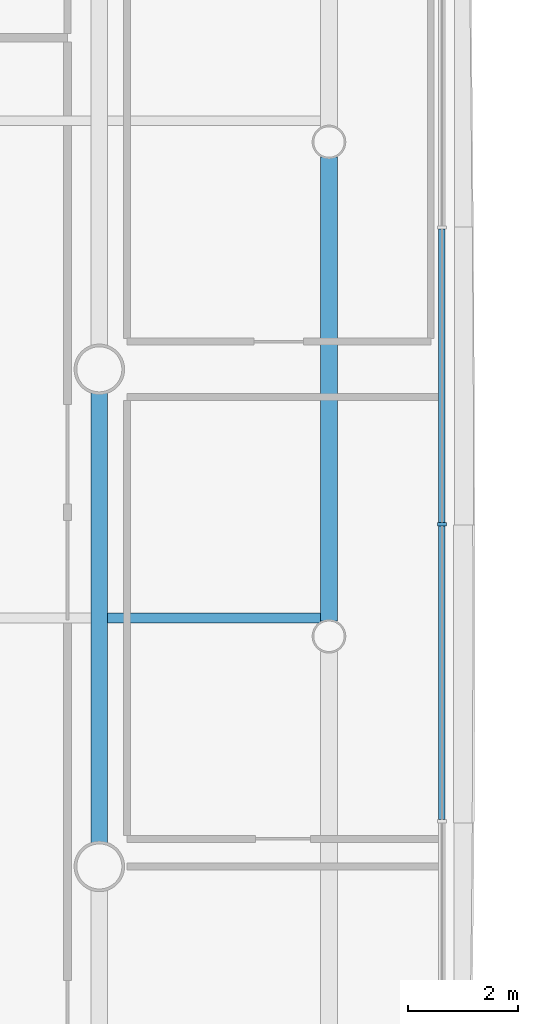
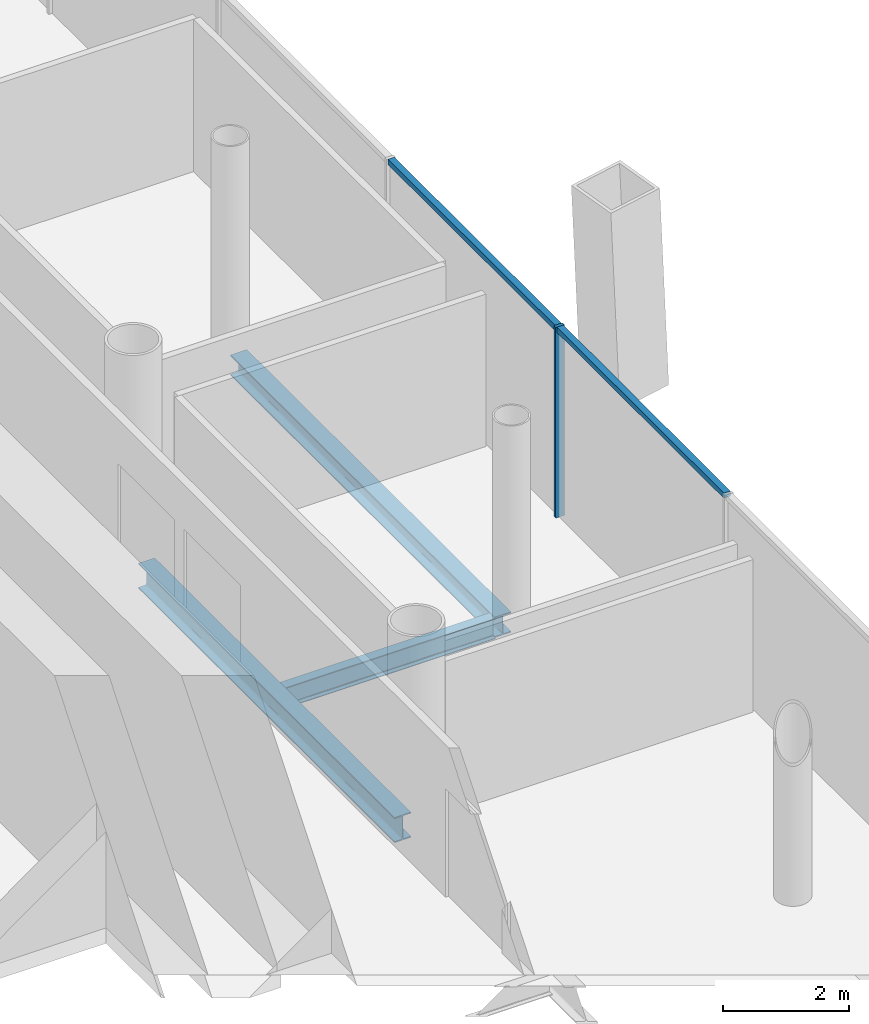
# One storey, part 7 of 22: 3 beams, 3 members, 1 element without a shape of its own.
"""IFC4 building model written with IfcOpenShell, lengths in metres."""

from ifc_helpers import new_model, si_unit, direction, frame, origin, origin_2d, place, context, subcontext, project, spatial, rectangle, i_section, extrude, material, material_profile, profile_set, type_object, element, aggregate, save


model = new_model("IFC4")

# Units and contexts
model_context = context("Model", 3, precision=1e-05, world=origin(), true_north=direction((0.0, 1.0)))
body_context = subcontext(model_context, "Body", "Model", "MODEL_VIEW")
ifc_project = project(units=[si_unit("LENGTHUNIT", "METRE"), si_unit("AREAUNIT", "SQUARE_METRE"), si_unit("VOLUMEUNIT", "CUBIC_METRE"), si_unit("PLANEANGLEUNIT", "RADIAN"), si_unit("MASSUNIT", "GRAM", prefix="KILO")], contexts=[model_context])

# Site, building, storey
site_placement = place(None, origin())
site = spatial("IfcSite", under=ifc_project, at=site_placement, CompositionType="ELEMENT")
building_placement = place(site_placement, origin())
building = spatial("IfcBuilding", under=site, at=building_placement, Name="Tskaro Facet Tower", CompositionType="ELEMENT")
storey_placement = place(building_placement, frame((0.0, 0.0, 30.300048828125)))
storey = spatial("IfcBuildingStorey", under=building, at=storey_placement, Name="L06", CompositionType="ELEMENT", Elevation=30.300048828125)

# Curtain wall, members
ifc_material_1 = material(Name="Bronze anodised aluminium 6063-T6", Category="aluminium")
curtain_wall_type = type_object("IfcCurtainWallType", Name="Bronze office curtain wall (FW1)", PredefinedType="NOTDEFINED", material=ifc_material_1)
curtain_wall_placement = place(storey_placement, origin())
curtain_wall = element("IfcCurtainWall", 1, at=curtain_wall_placement, inside=storey, type_object=curtain_wall_type, Name="FW1 east facet L06", PredefinedType="NOTDEFINED")
ifc_material_profile_1 = material_profile(ifc_material_1, rectangle(XDim=0.06005859375, YDim=0.159912109375, at=origin_2d()), Name="Mullion 60x160")
ifc_profile_set_1 = profile_set([ifc_material_profile_1], Name="Bronze anodised aluminium 6063-T6")
member_type_1 = type_object("IfcMemberType", Name="FW1 bronze mullion 60x160", PredefinedType="MULLION", material=ifc_profile_set_1)
member_1_placement = place(storey_placement, frame((24.201904296875, -2.806884765625, 0.0), z_axis=(0.0, 0.0, 1.0), x_axis=(0.0, 1.0, 0.0)))
member_1 = element("IfcMember", 2, at=member_1_placement, type_object=member_type_1, Name="FW1 east mullion 4", PredefinedType="MULLION", context=body_context, shape_type="SweptSolid", body=[
    extrude(rectangle(XDim=0.06005859375, YDim=0.159912109375, at=origin_2d()), origin(), (0.0, 0.0, 1.0), 3.699951171875),
])
ifc_material_profile_2 = material_profile(ifc_material_1, rectangle(XDim=0.1201171875, YDim=0.10009765625, at=origin_2d()), Name="Transom 120x100")
ifc_profile_set_2 = profile_set([ifc_material_profile_2], Name="Bronze anodised aluminium 6063-T6")
member_type_2 = type_object("IfcMemberType", Name="FW1 bronze transom 120x100", PredefinedType="USERDEFINED", material=ifc_profile_set_2)
member_2_placement = place(storey_placement, frame((24.201904296875, -8.1513671875, 3.64990234375), z_axis=(0.0, 1.0, 0.0), x_axis=(-1.0, 0.0, 0.0)))
member_2 = element("IfcMember", 3, at=member_2_placement, type_object=member_type_2, Name="FW1 east transom 4.1", ObjectType="TRANSOM", PredefinedType="USERDEFINED", context=body_context, shape_type="SweptSolid", body=[
    extrude(rectangle(XDim=0.1201171875, YDim=0.10009765625, at=origin_2d()), origin(), (0.0, 0.0, 1.0), 5.314697265625),
])
member_3_placement = place(storey_placement, frame((24.201904296875, -2.77685546875, 3.64990234375), z_axis=(0.0, 1.0, 0.0), x_axis=(-1.0, 0.0, 0.0)))
member_3 = element("IfcMember", 4, at=member_3_placement, type_object=member_type_2, Name="FW1 east transom 5.1", ObjectType="TRANSOM", PredefinedType="USERDEFINED", context=body_context, shape_type="SweptSolid", body=[
    extrude(rectangle(XDim=0.1201171875, YDim=0.10009765625, at=origin_2d()), origin(), (0.0, 0.0, 1.0), 5.314697265625),
])
aggregate(curtain_wall, [member_1, member_2, member_3])

# Beams
ifc_material_2 = material(Name="Steel S355J2", Category="steel")
ifc_material_profile_3 = material_profile(ifc_material_2, i_section(OverallWidth=0.300048828125, OverallDepth=0.39990234375, WebThickness=0.013427734375, FlangeThickness=0.02392578125, FilletRadius=0.027099609375, at=origin_2d()), Name="HE 400 B")
ifc_profile_set_3 = profile_set([ifc_material_profile_3], Name="Steel S355J2")
beam_type_1 = type_object("IfcBeamType", Name="HE 400 B ring beam", PredefinedType="BEAM", material=ifc_profile_set_3)
beam_1_placement = place(storey_placement, frame((22.156982421875, -4.55810546875, -0.340087890625), z_axis=(0.0, 1.0, 0.0), x_axis=(-1.0, 0.0, 0.0)))
element("IfcBeam", 5, at=beam_1_placement, inside=storey, type_object=beam_type_1, Name="HE 400 B EB10-1", PredefinedType="BEAM", context=body_context, shape_type="SweptSolid", body=[
    extrude(i_section(OverallWidth=0.300048828125, OverallDepth=0.39990234375, WebThickness=0.013427734375, FlangeThickness=0.02392578125, FilletRadius=0.027099609375, at=origin_2d()), origin(), (0.0, 0.0, 1.0), 8.399169921875),
])
ifc_material_profile_4 = material_profile(ifc_material_2, i_section(OverallWidth=0.300048828125, OverallDepth=0.489990234375, WebThickness=0.011962890625, FlangeThickness=0.02294921875, FilletRadius=0.027099609375, at=origin_2d()), Name="HE 500 A")
ifc_profile_set_4 = profile_set([ifc_material_profile_4], Name="Steel S355J2")
beam_type_2 = type_object("IfcBeamType", Name="HE 500 A girder", PredefinedType="BEAM", material=ifc_profile_set_4)
beam_2_placement = place(storey_placement, frame((18.0, -8.57275390625, -0.385009765625), z_axis=(0.0, 1.0, 0.0), x_axis=(-1.0, 0.0, 0.0)))
element("IfcBeam", 6, at=beam_2_placement, inside=storey, type_object=beam_type_2, Name="HE 500 A GB6-3-1", PredefinedType="BEAM", context=body_context, shape_type="SweptSolid", body=[
    extrude(i_section(OverallWidth=0.300048828125, OverallDepth=0.489990234375, WebThickness=0.011962890625, FlangeThickness=0.02294921875, FilletRadius=0.027099609375, at=origin_2d()), origin(), (0.0, 0.0, 1.0), 8.1455078125),
])
ifc_material_profile_5 = material_profile(ifc_material_2, i_section(OverallWidth=0.179931640625, OverallDepth=0.39990234375, WebThickness=0.008544921875, FlangeThickness=0.013427734375, FilletRadius=0.02099609375, at=origin_2d()), Name="IPE 400")
ifc_profile_set_5 = profile_set([ifc_material_profile_5], Name="Steel S355J2")
beam_type_3 = type_object("IfcBeamType", Name="IPE 400 secondary beam", PredefinedType="BEAM", material=ifc_profile_set_5)
beam_3_placement = place(storey_placement, frame((18.14990234375, -4.5, -0.340087890625), z_axis=(1.0, 0.0, 0.0), x_axis=(0.0, 1.0, 0.0)))
element("IfcBeam", 7, at=beam_3_placement, inside=storey, type_object=beam_type_3, Name="IPE 400 SB3a-4-1", PredefinedType="BEAM", context=body_context, shape_type="SweptSolid", body=[
    extrude(i_section(OverallWidth=0.179931640625, OverallDepth=0.39990234375, WebThickness=0.008544921875, FlangeThickness=0.013427734375, FilletRadius=0.02099609375, at=origin_2d()), origin(), (0.0, 0.0, 1.0), 3.857177734375),
])

save(model, "model.ifc")
